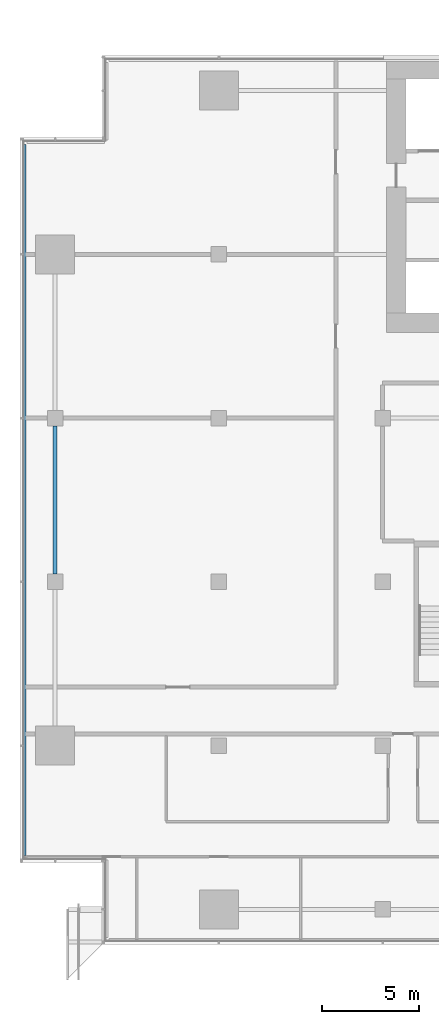
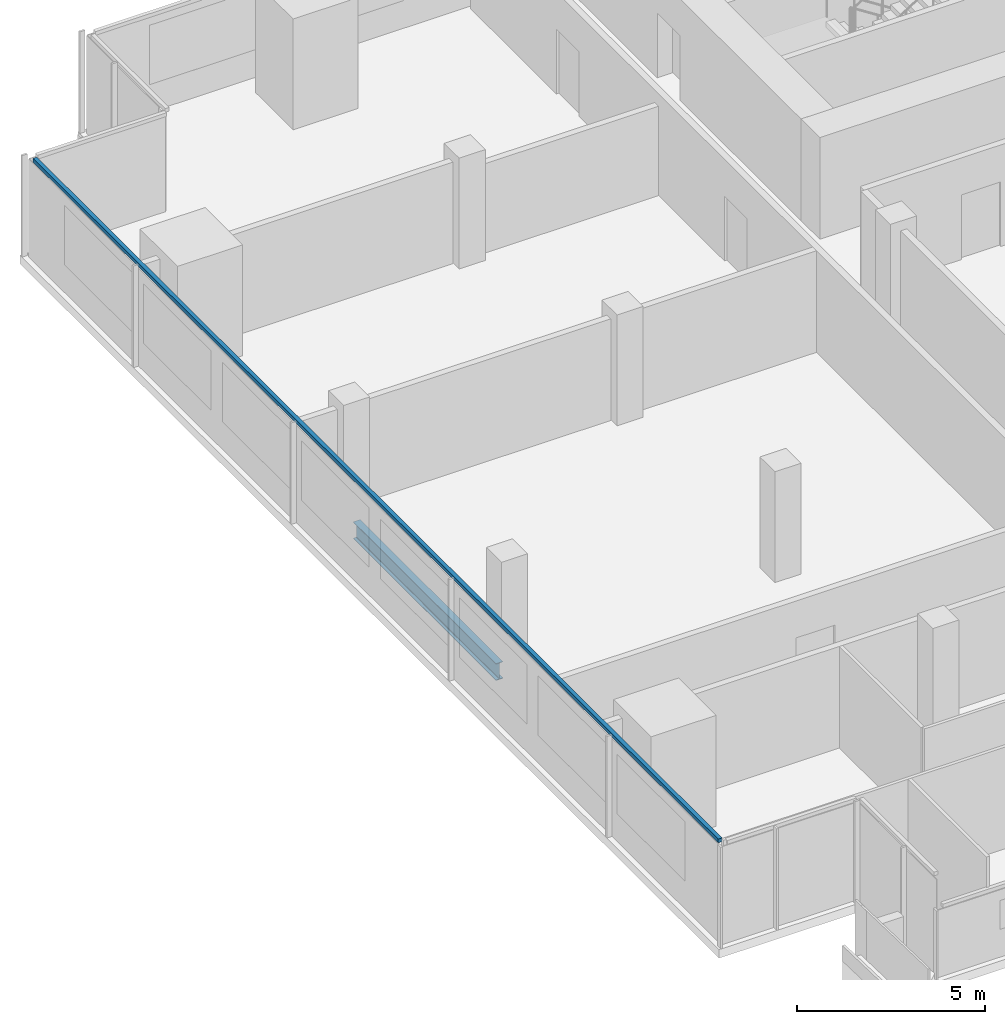
# One storey, part 5 of 26: 1 beam, 1 member, 1 element without a shape of its own.
"""IFC4 building model written with IfcOpenShell, lengths in metres."""

import ifcopenshell
import ifcopenshell.guid

model = None  # the IFC model being written
_history = None  # IfcOwnerHistory: only IFC2X3 demands one
_inside = {}  # id of a spatial element -> (the spatial element, [elements in it])
_under = {}  # id of a project, library or spatial element -> (it, [spatial elements below it])
_declared = {}  # id of a project -> (the project, [libraries it declares])
_typed = {}  # id of a type object -> (the type object, [elements of that type])
_made_of = {}  # id of a material, layer set ... -> (it, [elements and type objects made of it])


def new_model(schema):
    """Start an empty IFC model of exactly this schema.

    Asked for "IFC4X3", IfcOpenShell would pick the latest addendum, in which some entities
    have other attributes; the version numbers below select the first issue.
    IFC2X3 requires an IfcOwnerHistory on every rooted entity: one is made here for all.
    """
    global model, _history
    if schema == "IFC4X3":
        model = ifcopenshell.file(schema_version=(4, 3, 0, 0))
    else:
        model = ifcopenshell.file(schema=schema)
    _inside.clear()
    _under.clear()
    _declared.clear()
    _typed.clear()
    _made_of.clear()
    _history = None
    if model.schema == "IFC2X3":
        org = make("IfcOrganization", Name="unknown")
        user = make(
            "IfcPersonAndOrganization",
            ThePerson=make("IfcPerson", FamilyName="unknown"),
            TheOrganization=org,
        )
        app = make(
            "IfcApplication",
            ApplicationDeveloper=org,
            Version="unknown",
            ApplicationFullName="unknown",
            ApplicationIdentifier="unknown",
        )
        _history = make(
            "IfcOwnerHistory",
            OwningUser=user,
            OwningApplication=app,
            ChangeAction="ADDED",
            CreationDate=0,
        )
    return model


def make(cls, **values):
    """One entity of the class cls with the attributes given. An attribute that is None is left unset."""
    return model.create_entity(
        cls, **{name: value for name, value in values.items() if value is not None}
    )


def rooted(cls, **values):
    """An entity with a GlobalId (a new one), such as an element, a storey or a relation."""
    return make(cls, GlobalId=ifcopenshell.guid.new(), OwnerHistory=_history, **values)


def si_unit(unit_type, name, prefix=None):
    """IfcSIUnit, for example si_unit("LENGTHUNIT", "METRE", prefix="MILLI")."""
    return make("IfcSIUnit", UnitType=unit_type, Prefix=prefix, Name=name)


def assignment(units):
    """IfcUnitAssignment: the units of a project."""
    return None if units is None else make("IfcUnitAssignment", Units=units)


def point(xyz):
    """IfcCartesianPoint."""
    return None if xyz is None else make("IfcCartesianPoint", Coordinates=xyz)


def direction(xyz):
    """IfcDirection."""
    return None if xyz is None else make("IfcDirection", DirectionRatios=xyz)


def frame(location, z_axis=None, x_axis=None):
    """IfcAxis2Placement3D, a coordinate frame: its origin and axes. An axis left out is left unset."""
    return make(
        "IfcAxis2Placement3D",
        Location=point(location),
        Axis=direction(z_axis),
        RefDirection=direction(x_axis),
    )


def frame_2d(location, x_axis=None):
    """IfcAxis2Placement2D, a coordinate frame in the plane: its origin and x axis."""
    return make(
        "IfcAxis2Placement2D", Location=point(location), RefDirection=direction(x_axis)
    )


def origin():
    """The frame at (0, 0, 0) with its axes left unset."""
    return frame((0.0, 0.0, 0.0))


def origin_2d():
    """The frame at (0, 0) in the plane with its x axis left unset."""
    return frame_2d((0.0, 0.0))


def place(relative_to, where):
    """IfcLocalPlacement: puts the frame where relative to a parent placement (None: the world)."""
    return make(
        "IfcLocalPlacement", PlacementRelTo=relative_to, RelativePlacement=where
    )


def context(
    kind, dimensions, precision=None, world=None, true_north=None, identifier=None
):
    """IfcGeometricRepresentationContext, for example the 3D "Model" context."""
    return make(
        "IfcGeometricRepresentationContext",
        ContextIdentifier=identifier,
        ContextType=kind,
        CoordinateSpaceDimension=dimensions,
        Precision=precision,
        WorldCoordinateSystem=world,
        TrueNorth=true_north,
    )


def subcontext(parent, identifier, kind, view, scale=None):
    """IfcGeometricRepresentationSubContext, for example "Body" below "Model"."""
    return make(
        "IfcGeometricRepresentationSubContext",
        ContextIdentifier=identifier,
        ContextType=kind,
        ParentContext=parent,
        TargetScale=scale,
        TargetView=view,
    )


def project(units=None, contexts=None):
    """IfcProject with its units and contexts."""
    return rooted(
        "IfcProject",
        Name="project",
        RepresentationContexts=contexts,
        UnitsInContext=assignment(units),
    )


def spatial(cls, under=None, at=None, **own):
    """A site, building, storey or space (cls), placed at a placement, below another one or the project."""
    s = rooted(cls, ObjectPlacement=at, **own)
    if under is not None:
        _under.setdefault(under.id(), (under, []))[1].append(s)
    return s


def profile(cls, at=None, kind="AREA", **sizes):
    """A parametric profile (cls). Its sizes go by their IFC names, for example OverallWidth=200.0."""
    return make(cls, ProfileType=kind, Position=at, **sizes)


def rectangle(**sizes):
    """IfcRectangleProfileDef."""
    return profile("IfcRectangleProfileDef", **sizes)


def i_section(**sizes):
    """IfcIShapeProfileDef."""
    return profile("IfcIShapeProfileDef", **sizes)


def extrude(swept, where, along, depth):
    """IfcExtrudedAreaSolid: the profile swept, set in the frame where, extruded along a direction by depth."""
    return make(
        "IfcExtrudedAreaSolid",
        SweptArea=swept,
        Position=where,
        ExtrudedDirection=direction(along),
        Depth=depth,
    )


def shape(context_of_items, identifier, shape_type, items):
    """IfcShapeRepresentation: the items that make up one representation, for example the "Body"."""
    return make(
        "IfcShapeRepresentation",
        ContextOfItems=context_of_items,
        RepresentationIdentifier=identifier,
        RepresentationType=shape_type,
        Items=items,
    )


def material(Name=None, Category=None):
    """IfcMaterial."""
    return make("IfcMaterial", Name=Name, Category=Category)


def material_profile(
    of_material, cross_section, Name=None, Category=None, Priority=None
):
    """IfcMaterialProfile: a cross section and its material."""
    return make(
        "IfcMaterialProfile",
        Name=Name,
        Material=of_material,
        Profile=cross_section,
        Priority=Priority,
        Category=Category,
    )


def profile_set(profiles, Name=None, composite=None):
    """IfcMaterialProfileSet."""
    return make(
        "IfcMaterialProfileSet",
        Name=Name,
        MaterialProfiles=profiles,
        CompositeProfile=composite,
    )


def made_of(thing, what):
    """Note that an element or type object is made of a material, layer set ...; save() writes the relation."""
    if what is not None:
        _made_of.setdefault(what.id(), (what, []))[1].append(thing)
    return thing


def type_object(cls, material=None, **own):
    """A type object (cls), such as IfcWallType, which elements share."""
    return made_of(rooted(cls, **own), material)


def element(
    cls,
    number,
    at=None,
    inside=None,
    cuts=None,
    type_object=None,
    material=None,
    context=None,
    identifier="Body",
    shape_type=None,
    held_by="IfcProductDefinitionShape",
    body=None,
    shapes=None,
    **own,
):
    """One element of the class cls, such as IfcWall. Its Tag is "e" and its number.

    at: its placement. inside: the storey or other place that contains it. cuts: it is an
    opening in that element (IfcRelVoidsElement). A single representation is given by context,
    identifier, shape_type and body (its items); several are given by shapes. held_by: the class
    of the entity that holds the representations. save() writes the other relations.
    """
    e = rooted(cls, Tag="e%d" % number, ObjectPlacement=at, **own)
    if body is not None:
        shapes = [shape(context, identifier, shape_type, body)]
    if shapes is not None:
        e.Representation = make(held_by, Representations=shapes)
    if inside is not None:
        _inside.setdefault(inside.id(), (inside, []))[1].append(e)
    if cuts is not None:
        rooted(
            "IfcRelVoidsElement", RelatingBuildingElement=cuts, RelatedOpeningElement=e
        )
    if type_object is not None:
        _typed.setdefault(type_object.id(), (type_object, []))[1].append(e)
    return made_of(e, material)


def aggregate(whole, parts):
    """IfcRelAggregates: a whole, such as a stair, and the parts it consists of."""
    return rooted("IfcRelAggregates", RelatingObject=whole, RelatedObjects=parts)


def save(model, path):
    """Write the relations noted so far, then the file.

    IfcRelAggregates (storeys below a building ...), IfcRelContainedInSpatialStructure (elements
    in a storey), IfcRelDefinesByType, IfcRelAssociatesMaterial and IfcRelDeclares: one each for
    every whole, place, type object, material and project.
    """
    for whole, parts in _under.values():
        aggregate(whole, parts)
    for where, things in _inside.values():
        rooted(
            "IfcRelContainedInSpatialStructure",
            RelatedElements=things,
            RelatingStructure=where,
        )
    for kind, things in _typed.values():
        rooted("IfcRelDefinesByType", RelatedObjects=things, RelatingType=kind)
    for what, things in _made_of.values():
        rooted("IfcRelAssociatesMaterial", RelatedObjects=things, RelatingMaterial=what)
    for by, libraries in _declared.values():
        rooted("IfcRelDeclares", RelatingContext=by, RelatedDefinitions=libraries)
    model.write(path)


model = new_model("IFC4")

# Units and contexts
model_context = context("Model", 3, precision=1e-05, world=origin(), true_north=direction((0.0, 1.0)))
body_context = subcontext(model_context, "Body", "Model", "MODEL_VIEW")
ifc_project = project(units=[si_unit("LENGTHUNIT", "METRE"), si_unit("AREAUNIT", "SQUARE_METRE"), si_unit("VOLUMEUNIT", "CUBIC_METRE"), si_unit("PLANEANGLEUNIT", "RADIAN"), si_unit("MASSUNIT", "GRAM", prefix="KILO")], contexts=[model_context])

# Site, building, storey
site_placement = place(None, origin())
site = spatial("IfcSite", under=ifc_project, at=site_placement, CompositionType="ELEMENT")
building_placement = place(site_placement, origin())
building = spatial("IfcBuilding", under=site, at=building_placement, Name="Saffron Gate Tower", CompositionType="ELEMENT")
storey_placement = place(building_placement, frame((0.0, 0.0, 138.449951171875)))
storey = spatial("IfcBuildingStorey", under=building, at=storey_placement, Name="L33", CompositionType="ELEMENT", Elevation=138.449951171875)

# Beam
ifc_material_1 = material(Name="Structural steel S355", Category="steel")
ifc_material_profile_1 = material_profile(ifc_material_1, i_section(OverallWidth=0.2099609375, OverallDepth=0.550048828125, WebThickness=0.010986328125, FlangeThickness=0.01708984375, FilletRadius=0.02392578125, at=origin_2d()))
ifc_profile_set_1 = profile_set([ifc_material_profile_1], Name="Structural steel S355")
beam_type = type_object("IfcBeamType", Name="B13 IPE 550", PredefinedType="SPANDREL", material=ifc_profile_set_1)
beam_placement = place(storey_placement, frame((49.800048828125, 49.0, -0.554931640625), z_axis=(0.0, 1.0, 0.0), x_axis=(-1.0, 0.0, 0.0)))
element("IfcBeam", 1, at=beam_placement, inside=storey, type_object=beam_type, Name="B13 SPANDREL BEAM", PredefinedType="SPANDREL", context=body_context, shape_type="SweptSolid", body=[
    extrude(i_section(OverallWidth=0.2099609375, OverallDepth=0.550048828125, WebThickness=0.010986328125, FlangeThickness=0.01708984375, FilletRadius=0.02392578125, at=origin_2d()), origin(), (0.0, 0.0, 1.0), 7.60009765625),
])

# Curtain wall, member
ifc_material_2 = material(Name="Aluminium, bronze anodised", Category="aluminium")
curtain_wall_type = type_object("IfcCurtainWallType", Name="CWS2 curtain wall side facades", PredefinedType="NOTDEFINED", material=ifc_material_2)
curtain_wall_placement = place(storey_placement, origin())
curtain_wall = element("IfcCurtainWall", 2, at=curtain_wall_placement, inside=storey, type_object=curtain_wall_type, Name="CWS2 run 10", PredefinedType="NOTDEFINED")
ifc_material_profile_2 = material_profile(ifc_material_2, rectangle(XDim=0.1201171875, YDim=0.1201171875, at=origin_2d()))
ifc_profile_set_2 = profile_set([ifc_material_profile_2], Name="Aluminium, bronze anodised")
member_type = type_object("IfcMemberType", Name="CWS2 head transom", PredefinedType="USERDEFINED", material=ifc_profile_set_2)
member_placement = place(storey_placement, frame((48.248046875, 71.031982421875, 3.239990234375), z_axis=(0.0, -1.0, 0.0), x_axis=(1.0, 0.0, 0.0)))
member = element("IfcMember", 3, at=member_placement, type_object=member_type, Name="CWS2 head transom", ObjectType="TRANSOM", PredefinedType="USERDEFINED", context=body_context, shape_type="SweptSolid", body=[
    extrude(rectangle(XDim=0.1201171875, YDim=0.1201171875, at=origin_2d()), origin(), (0.0, 0.0, 1.0), 36.4638671875),
])
aggregate(curtain_wall, [member])

save(model, "model.ifc")
